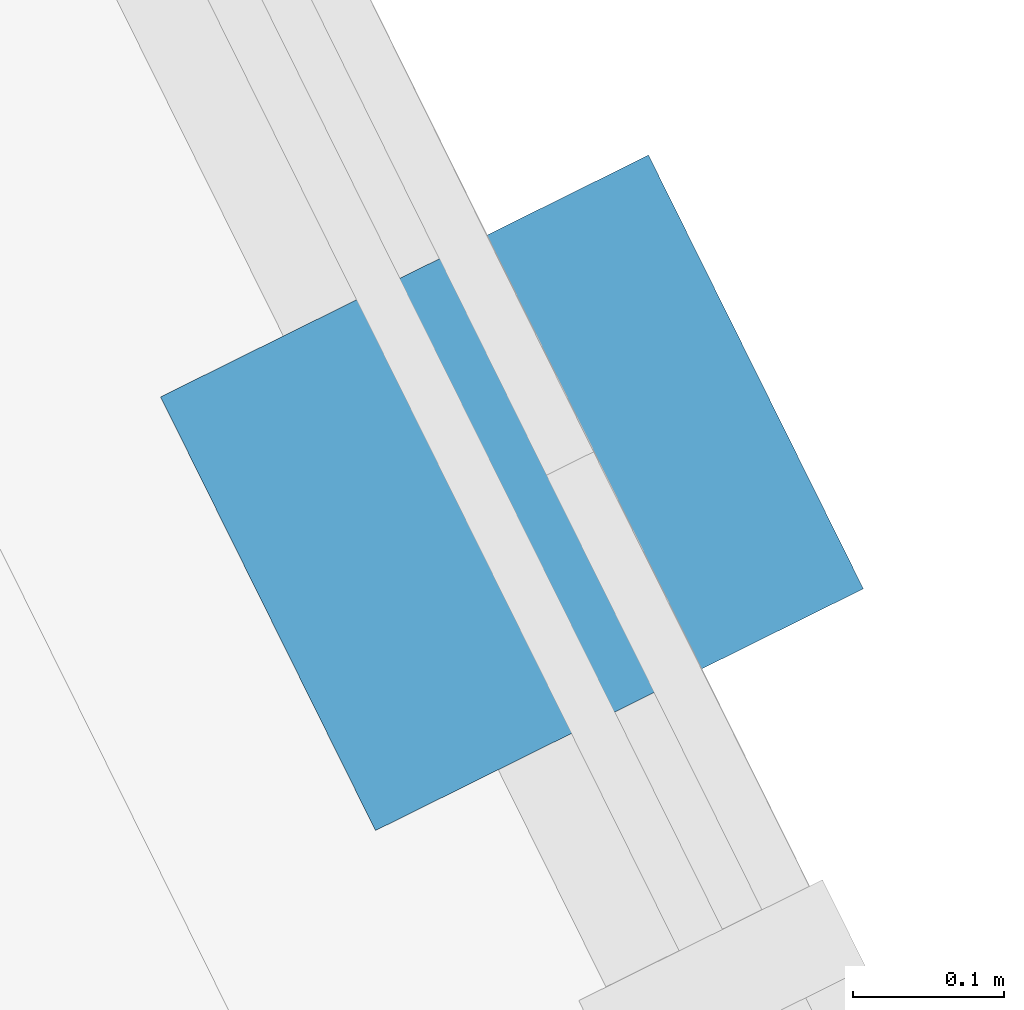
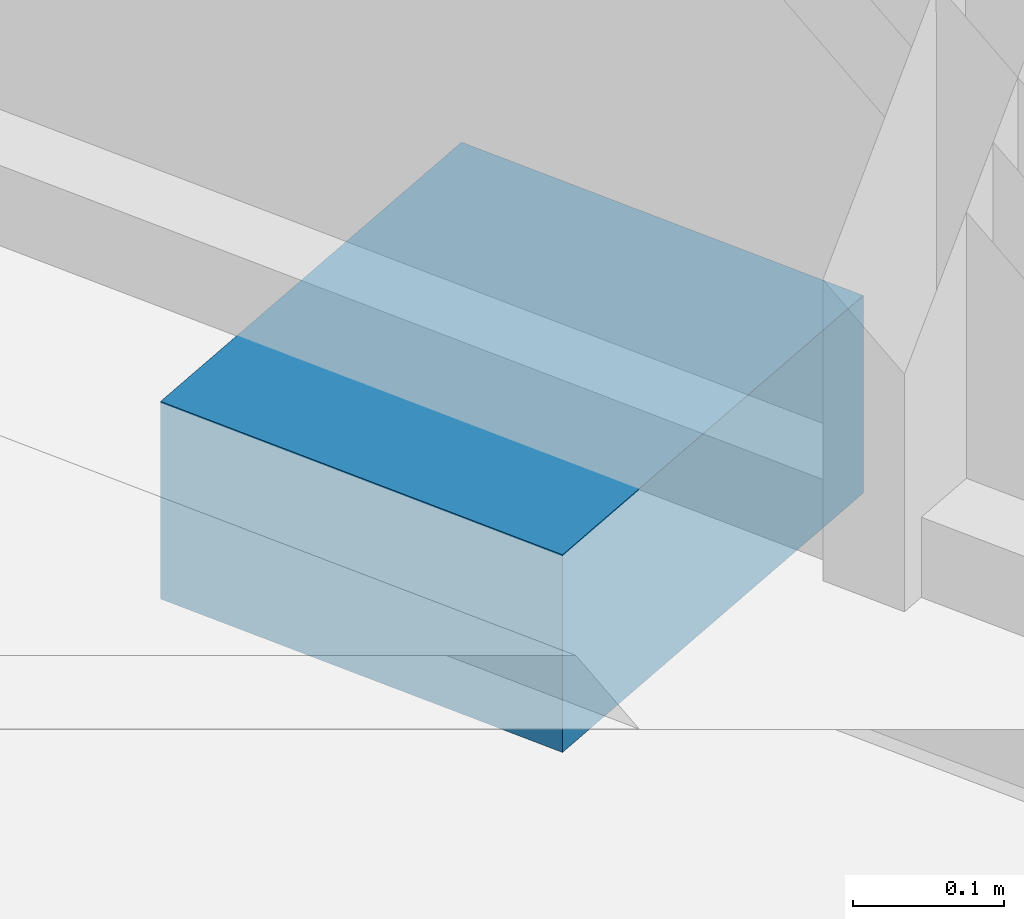
# One storey, part 79 of 108: 1 discrete accessory.
"""IFC4 building model written with IfcOpenShell, lengths in metres."""

import ifcopenshell
import ifcopenshell.guid

model = None  # the IFC model being written
_history = None  # IfcOwnerHistory: only IFC2X3 demands one
_inside = {}  # id of a spatial element -> (the spatial element, [elements in it])
_under = {}  # id of a project, library or spatial element -> (it, [spatial elements below it])
_declared = {}  # id of a project -> (the project, [libraries it declares])
_typed = {}  # id of a type object -> (the type object, [elements of that type])
_made_of = {}  # id of a material, layer set ... -> (it, [elements and type objects made of it])


def new_model(schema):
    """Start an empty IFC model of exactly this schema.

    Asked for "IFC4X3", IfcOpenShell would pick the latest addendum, in which some entities
    have other attributes; the version numbers below select the first issue.
    IFC2X3 requires an IfcOwnerHistory on every rooted entity: one is made here for all.
    """
    global model, _history
    if schema == "IFC4X3":
        model = ifcopenshell.file(schema_version=(4, 3, 0, 0))
    else:
        model = ifcopenshell.file(schema=schema)
    _inside.clear()
    _under.clear()
    _declared.clear()
    _typed.clear()
    _made_of.clear()
    _history = None
    if model.schema == "IFC2X3":
        org = make("IfcOrganization", Name="unknown")
        user = make(
            "IfcPersonAndOrganization",
            ThePerson=make("IfcPerson", FamilyName="unknown"),
            TheOrganization=org,
        )
        app = make(
            "IfcApplication",
            ApplicationDeveloper=org,
            Version="unknown",
            ApplicationFullName="unknown",
            ApplicationIdentifier="unknown",
        )
        _history = make(
            "IfcOwnerHistory",
            OwningUser=user,
            OwningApplication=app,
            ChangeAction="ADDED",
            CreationDate=0,
        )
    return model


def make(cls, **values):
    """One entity of the class cls with the attributes given. An attribute that is None is left unset."""
    return model.create_entity(
        cls, **{name: value for name, value in values.items() if value is not None}
    )


def rooted(cls, **values):
    """An entity with a GlobalId (a new one), such as an element, a storey or a relation."""
    return make(cls, GlobalId=ifcopenshell.guid.new(), OwnerHistory=_history, **values)


def si_unit(unit_type, name, prefix=None):
    """IfcSIUnit, for example si_unit("LENGTHUNIT", "METRE", prefix="MILLI")."""
    return make("IfcSIUnit", UnitType=unit_type, Prefix=prefix, Name=name)


def assignment(units):
    """IfcUnitAssignment: the units of a project."""
    return None if units is None else make("IfcUnitAssignment", Units=units)


def point(xyz):
    """IfcCartesianPoint."""
    return None if xyz is None else make("IfcCartesianPoint", Coordinates=xyz)


def direction(xyz):
    """IfcDirection."""
    return None if xyz is None else make("IfcDirection", DirectionRatios=xyz)


def frame(location, z_axis=None, x_axis=None):
    """IfcAxis2Placement3D, a coordinate frame: its origin and axes. An axis left out is left unset."""
    return make(
        "IfcAxis2Placement3D",
        Location=point(location),
        Axis=direction(z_axis),
        RefDirection=direction(x_axis),
    )


def frame_2d(location, x_axis=None):
    """IfcAxis2Placement2D, a coordinate frame in the plane: its origin and x axis."""
    return make(
        "IfcAxis2Placement2D", Location=point(location), RefDirection=direction(x_axis)
    )


def origin():
    """The frame at (0, 0, 0) with its axes left unset."""
    return frame((0.0, 0.0, 0.0))


def origin_2d():
    """The frame at (0, 0) in the plane with its x axis left unset."""
    return frame_2d((0.0, 0.0))


def place(relative_to, where):
    """IfcLocalPlacement: puts the frame where relative to a parent placement (None: the world)."""
    return make(
        "IfcLocalPlacement", PlacementRelTo=relative_to, RelativePlacement=where
    )


def context(
    kind, dimensions, precision=None, world=None, true_north=None, identifier=None
):
    """IfcGeometricRepresentationContext, for example the 3D "Model" context."""
    return make(
        "IfcGeometricRepresentationContext",
        ContextIdentifier=identifier,
        ContextType=kind,
        CoordinateSpaceDimension=dimensions,
        Precision=precision,
        WorldCoordinateSystem=world,
        TrueNorth=true_north,
    )


def subcontext(parent, identifier, kind, view, scale=None):
    """IfcGeometricRepresentationSubContext, for example "Body" below "Model"."""
    return make(
        "IfcGeometricRepresentationSubContext",
        ContextIdentifier=identifier,
        ContextType=kind,
        ParentContext=parent,
        TargetScale=scale,
        TargetView=view,
    )


def project(units=None, contexts=None):
    """IfcProject with its units and contexts."""
    return rooted(
        "IfcProject",
        Name="project",
        RepresentationContexts=contexts,
        UnitsInContext=assignment(units),
    )


def spatial(cls, under=None, at=None, **own):
    """A site, building, storey or space (cls), placed at a placement, below another one or the project."""
    s = rooted(cls, ObjectPlacement=at, **own)
    if under is not None:
        _under.setdefault(under.id(), (under, []))[1].append(s)
    return s


def profile(cls, at=None, kind="AREA", **sizes):
    """A parametric profile (cls). Its sizes go by their IFC names, for example OverallWidth=200.0."""
    return make(cls, ProfileType=kind, Position=at, **sizes)


def rectangle(**sizes):
    """IfcRectangleProfileDef."""
    return profile("IfcRectangleProfileDef", **sizes)


def extrude(swept, where, along, depth):
    """IfcExtrudedAreaSolid: the profile swept, set in the frame where, extruded along a direction by depth."""
    return make(
        "IfcExtrudedAreaSolid",
        SweptArea=swept,
        Position=where,
        ExtrudedDirection=direction(along),
        Depth=depth,
    )


def shape(context_of_items, identifier, shape_type, items):
    """IfcShapeRepresentation: the items that make up one representation, for example the "Body"."""
    return make(
        "IfcShapeRepresentation",
        ContextOfItems=context_of_items,
        RepresentationIdentifier=identifier,
        RepresentationType=shape_type,
        Items=items,
    )


def material(Name=None, Category=None):
    """IfcMaterial."""
    return make("IfcMaterial", Name=Name, Category=Category)


def layer(
    of_material, thickness, ventilated=None, Name=None, Category=None, Priority=None
):
    """IfcMaterialLayer: one layer of a wall or slab, of a material (None: an air gap)."""
    return make(
        "IfcMaterialLayer",
        Material=of_material,
        LayerThickness=thickness,
        IsVentilated=ventilated,
        Name=Name,
        Category=Category,
        Priority=Priority,
    )


def layer_set(layers, Name=None):
    """IfcMaterialLayerSet."""
    return make("IfcMaterialLayerSet", MaterialLayers=layers, LayerSetName=Name)


def made_of(thing, what):
    """Note that an element or type object is made of a material, layer set ...; save() writes the relation."""
    if what is not None:
        _made_of.setdefault(what.id(), (what, []))[1].append(thing)
    return thing


def type_object(cls, material=None, **own):
    """A type object (cls), such as IfcWallType, which elements share."""
    return made_of(rooted(cls, **own), material)


def element(
    cls,
    number,
    at=None,
    inside=None,
    cuts=None,
    type_object=None,
    material=None,
    context=None,
    identifier="Body",
    shape_type=None,
    held_by="IfcProductDefinitionShape",
    body=None,
    shapes=None,
    **own,
):
    """One element of the class cls, such as IfcWall. Its Tag is "e" and its number.

    at: its placement. inside: the storey or other place that contains it. cuts: it is an
    opening in that element (IfcRelVoidsElement). A single representation is given by context,
    identifier, shape_type and body (its items); several are given by shapes. held_by: the class
    of the entity that holds the representations. save() writes the other relations.
    """
    e = rooted(cls, Tag="e%d" % number, ObjectPlacement=at, **own)
    if body is not None:
        shapes = [shape(context, identifier, shape_type, body)]
    if shapes is not None:
        e.Representation = make(held_by, Representations=shapes)
    if inside is not None:
        _inside.setdefault(inside.id(), (inside, []))[1].append(e)
    if cuts is not None:
        rooted(
            "IfcRelVoidsElement", RelatingBuildingElement=cuts, RelatedOpeningElement=e
        )
    if type_object is not None:
        _typed.setdefault(type_object.id(), (type_object, []))[1].append(e)
    return made_of(e, material)


def aggregate(whole, parts):
    """IfcRelAggregates: a whole, such as a stair, and the parts it consists of."""
    return rooted("IfcRelAggregates", RelatingObject=whole, RelatedObjects=parts)


def save(model, path):
    """Write the relations noted so far, then the file.

    IfcRelAggregates (storeys below a building ...), IfcRelContainedInSpatialStructure (elements
    in a storey), IfcRelDefinesByType, IfcRelAssociatesMaterial and IfcRelDeclares: one each for
    every whole, place, type object, material and project.
    """
    for whole, parts in _under.values():
        aggregate(whole, parts)
    for where, things in _inside.values():
        rooted(
            "IfcRelContainedInSpatialStructure",
            RelatedElements=things,
            RelatingStructure=where,
        )
    for kind, things in _typed.values():
        rooted("IfcRelDefinesByType", RelatedObjects=things, RelatingType=kind)
    for what, things in _made_of.values():
        rooted("IfcRelAssociatesMaterial", RelatedObjects=things, RelatingMaterial=what)
    for by, libraries in _declared.values():
        rooted("IfcRelDeclares", RelatingContext=by, RelatedDefinitions=libraries)
    model.write(path)


model = new_model("IFC4")

# Units and contexts
model_context = context("Model", 3, precision=1e-05, world=origin(), true_north=direction((0.0, 1.0)))
body_context = subcontext(model_context, "Body", "Model", "MODEL_VIEW")
ifc_project = project(units=[si_unit("LENGTHUNIT", "METRE"), si_unit("AREAUNIT", "SQUARE_METRE"), si_unit("VOLUMEUNIT", "CUBIC_METRE"), si_unit("PLANEANGLEUNIT", "RADIAN"), si_unit("MASSUNIT", "GRAM", prefix="KILO")], contexts=[model_context])

# Site, building, storey
site_placement = place(None, origin())
site = spatial("IfcSite", under=ifc_project, at=site_placement, CompositionType="ELEMENT")
building_placement = place(site_placement, origin())
building = spatial("IfcBuilding", under=site, at=building_placement, Name="Zevraka Park Crest Stadium", CompositionType="ELEMENT")
storey_placement = place(building_placement, frame((0.0, 0.0, 19.800048828125)))
storey = spatial("IfcBuildingStorey", under=building, at=storey_placement, Name="L04", CompositionType="ELEMENT", Elevation=19.800048828125)

# Discrete accessory
ifc_material = material(Name="Galvanised steel bracketry", Category="steel")
ifc_layer = layer(ifc_material, 0.1201171875)
ifc_layer_set = layer_set([ifc_layer], Name="Galvanised steel bracketry")
discrete_accessory_type = type_object("IfcDiscreteAccessoryType", Name="BRK01", PredefinedType="BRACKET", material=ifc_layer_set)
discrete_accessory_placement = place(storey_placement, frame((192.47900390625, 127.614013671875, -0.16015625), z_axis=(0.0, 0.0, 1.0), x_axis=(-0.444009746106, 0.896021955849, 0.0)))
element("IfcDiscreteAccessory", 1, at=discrete_accessory_placement, inside=storey, type_object=discrete_accessory_type, Name="Bronze Screen Carrier Bracket BRK01 L04-01-11", PredefinedType="BRACKET", context=body_context, shape_type="SweptSolid", body=[
    extrude(rectangle(XDim=0.320068359375, YDim=0.360107421875, at=origin_2d()), origin(), (0.0, 0.0, 1.0), 0.159912109375),
])

save(model, "model.ifc")
